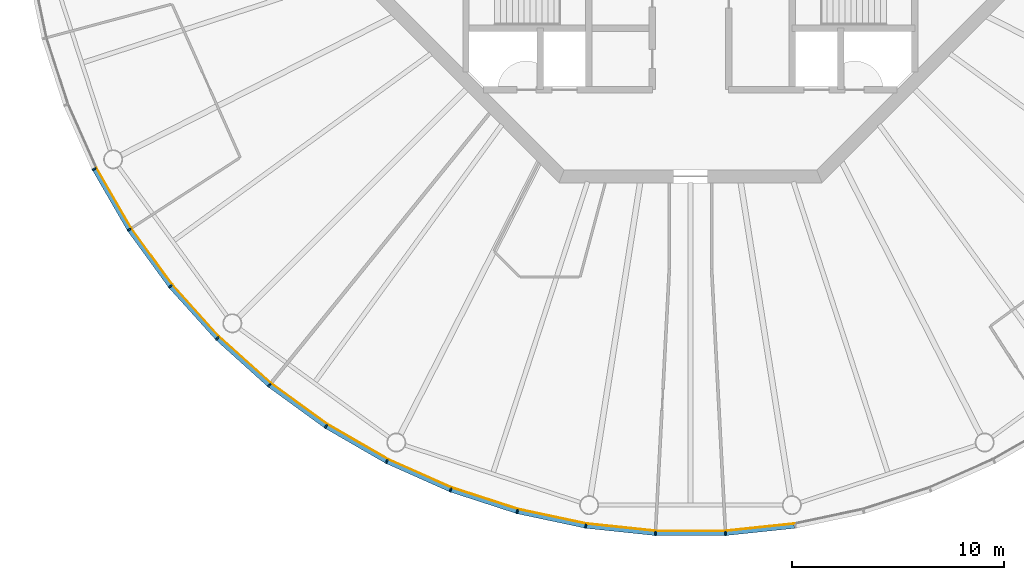
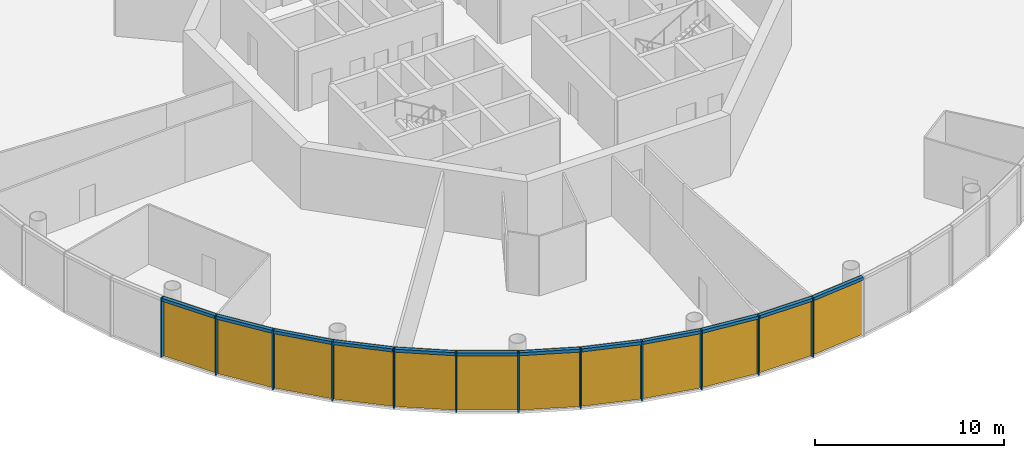
# One storey, part 7 of 13: 24 members, 4 curtain walls.
"""IFC4 building model written with IfcOpenShell, lengths in metres."""

from ifc_helpers import new_model, si_unit, direction, frame, origin, origin_2d, place, context, subcontext, project, spatial, polyline, rectangle, outline, extrude, material, layer, layer_set, material_profile, profile_set, type_object, element, aggregate, save


model = new_model("IFC4")

# Units and contexts
model_context = context("Model", 3, precision=1e-05, world=origin(), true_north=direction((0.0, 1.0)))
body_context = subcontext(model_context, "Body", "Model", "MODEL_VIEW")
ifc_project = project(units=[si_unit("LENGTHUNIT", "METRE"), si_unit("AREAUNIT", "SQUARE_METRE"), si_unit("VOLUMEUNIT", "CUBIC_METRE"), si_unit("PLANEANGLEUNIT", "RADIAN"), si_unit("MASSUNIT", "GRAM", prefix="KILO")], contexts=[model_context])

# Member
ifc_material_1 = material(Name="Anodised aluminium", Category="aluminium")
ifc_material_profile_1 = material_profile(ifc_material_1, rectangle(XDim=0.070068359375, YDim=0.205078125, at=origin_2d()), Name="Mullion 70 x 205 mm anodised aluminium")
ifc_profile_set_1 = profile_set([ifc_material_profile_1], Name="Anodised aluminium")
member_type_1 = type_object("IfcMemberType", Name="Mullion 70 x 205 mm anodised aluminium", PredefinedType="MULLION", material=ifc_profile_set_1)
site_placement = place(None, origin())
building_placement = place(site_placement, origin())
storey_placement = place(building_placement, frame((0.0, 0.0, 376.0)))
member_1_placement = place(storey_placement, frame((61.842041015625, 65.65283203125, 0.0), z_axis=(0.0, 0.0, 1.0), x_axis=(0.45399049974, -0.891006524188, 0.0)))
member_1 = element("IfcMember", 1, at=member_1_placement, type_object=member_type_1, Name="MULLION L87-33", PredefinedType="MULLION", context=body_context, shape_type="SweptSolid", body=[
    extrude(rectangle(XDim=0.070068359375, YDim=0.205078125, at=origin_2d()), origin(), (0.0, 0.0, 1.0), 3.85009765625),
])

member_2_placement = place(storey_placement, frame((63.495849609375, 62.7880859375, 0.0), z_axis=(0.0, 0.0, 1.0), x_axis=(0.544639035015, -0.838670567945, 0.0)))
member_2 = element("IfcMember", 2, at=member_2_placement, type_object=member_type_1, Name="MULLION L87-34", PredefinedType="MULLION", context=body_context, shape_type="SweptSolid", body=[
    extrude(rectangle(XDim=0.070068359375, YDim=0.205078125, at=origin_2d()), origin(), (0.0, 0.0, 1.0), 3.85009765625),
])

member_3_placement = place(storey_placement, frame((65.440185546875, 60.11181640625, 0.0), z_axis=(0.0, 0.0, 1.0), x_axis=(0.62932039105, -0.777145961457, 0.0)))
member_3 = element("IfcMember", 3, at=member_3_placement, type_object=member_type_1, Name="MULLION L87-35", PredefinedType="MULLION", context=body_context, shape_type="SweptSolid", body=[
    extrude(rectangle(XDim=0.070068359375, YDim=0.205078125, at=origin_2d()), origin(), (0.0, 0.0, 1.0), 3.85009765625),
])

member_4_placement = place(storey_placement, frame((67.653564453125, 57.653564453125, 0.0), z_axis=(0.0, 0.0, 1.0), x_axis=(0.707106781187, -0.707106781187, 0.0)))
member_4 = element("IfcMember", 4, at=member_4_placement, type_object=member_type_1, Name="MULLION L87-36", PredefinedType="MULLION", context=body_context, shape_type="SweptSolid", body=[
    extrude(rectangle(XDim=0.070068359375, YDim=0.205078125, at=origin_2d()), origin(), (0.0, 0.0, 1.0), 3.85009765625),
])

member_5_placement = place(storey_placement, frame((70.11181640625, 55.440185546875, 0.0), z_axis=(0.0, 0.0, 1.0), x_axis=(0.777145961457, -0.62932039105, 0.0)))
member_5 = element("IfcMember", 5, at=member_5_placement, type_object=member_type_1, Name="MULLION L87-37", PredefinedType="MULLION", context=body_context, shape_type="SweptSolid", body=[
    extrude(rectangle(XDim=0.070068359375, YDim=0.205078125, at=origin_2d()), origin(), (0.0, 0.0, 1.0), 3.85009765625),
])

member_6_placement = place(storey_placement, frame((72.7880859375, 53.495849609375, 0.0), z_axis=(0.0, 0.0, 1.0), x_axis=(0.838670567945, -0.544639035015, 0.0)))
member_6 = element("IfcMember", 6, at=member_6_placement, type_object=member_type_1, Name="MULLION L87-38", PredefinedType="MULLION", context=body_context, shape_type="SweptSolid", body=[
    extrude(rectangle(XDim=0.070068359375, YDim=0.205078125, at=origin_2d()), origin(), (0.0, 0.0, 1.0), 3.85009765625),
])

member_7_placement = place(storey_placement, frame((75.65283203125, 51.842041015625, 0.0), z_axis=(0.0, 0.0, 1.0), x_axis=(0.891006524188, -0.45399049974, 0.0)))
member_7 = element("IfcMember", 7, at=member_7_placement, type_object=member_type_1, Name="MULLION L87-39", PredefinedType="MULLION", context=body_context, shape_type="SweptSolid", body=[
    extrude(rectangle(XDim=0.070068359375, YDim=0.205078125, at=origin_2d()), origin(), (0.0, 0.0, 1.0), 3.85009765625),
])

member_8_placement = place(storey_placement, frame((78.674560546875, 50.49658203125, 0.0), z_axis=(0.0, 0.0, 1.0), x_axis=(0.933580426497, -0.358367949545, 0.0)))
member_8 = element("IfcMember", 8, at=member_8_placement, type_object=member_type_1, Name="MULLION L87-40", PredefinedType="MULLION", context=body_context, shape_type="SweptSolid", body=[
    extrude(rectangle(XDim=0.070068359375, YDim=0.205078125, at=origin_2d()), origin(), (0.0, 0.0, 1.0), 3.85009765625),
])

member_9_placement = place(storey_placement, frame((81.820556640625, 49.474365234375, 0.0), z_axis=(0.0, 0.0, 1.0), x_axis=(0.965925826289, -0.258819045103, 0.0)))
member_9 = element("IfcMember", 9, at=member_9_placement, type_object=member_type_1, Name="MULLION L87-41", PredefinedType="MULLION", context=body_context, shape_type="SweptSolid", body=[
    extrude(rectangle(XDim=0.070068359375, YDim=0.205078125, at=origin_2d()), origin(), (0.0, 0.0, 1.0), 3.85009765625),
])

member_10_placement = place(storey_placement, frame((85.056396484375, 48.78662109375, 0.0), z_axis=(0.0, 0.0, 1.0), x_axis=(0.987688340595, -0.15643446504, 0.0)))
member_10 = element("IfcMember", 10, at=member_10_placement, type_object=member_type_1, Name="MULLION L87-42", PredefinedType="MULLION", context=body_context, shape_type="SweptSolid", body=[
    extrude(rectangle(XDim=0.070068359375, YDim=0.205078125, at=origin_2d()), origin(), (0.0, 0.0, 1.0), 3.85009765625),
])

member_11_placement = place(storey_placement, frame((88.345947265625, 48.44091796875, 0.0), z_axis=(0.0, 0.0, 1.0), x_axis=(0.998629534755, -0.052335956243, 0.0)))
member_11 = element("IfcMember", 11, at=member_11_placement, type_object=member_type_1, Name="MULLION L87-43", PredefinedType="MULLION", context=body_context, shape_type="SweptSolid", body=[
    extrude(rectangle(XDim=0.070068359375, YDim=0.205078125, at=origin_2d()), origin(), (0.0, 0.0, 1.0), 3.85009765625),
])

member_12_placement = place(storey_placement, frame((91.654052734375, 48.44091796875, 0.0), z_axis=(0.0, 0.0, 1.0), x_axis=(0.998629534755, 0.052335956243, 0.0)))
member_12 = element("IfcMember", 12, at=member_12_placement, type_object=member_type_1, Name="MULLION L87-44", PredefinedType="MULLION", context=body_context, shape_type="SweptSolid", body=[
    extrude(rectangle(XDim=0.070068359375, YDim=0.205078125, at=origin_2d()), origin(), (0.0, 0.0, 1.0), 3.85009765625),
])

ifc_material_2 = material(Name="Anodised aluminium", Category="aluminium")
ifc_material_profile_2 = material_profile(ifc_material_2, rectangle(XDim=0.205078125, YDim=0.195068359375, at=origin_2d()), Name="Transom 195 x 205 mm anodised aluminium")
ifc_profile_set_2 = profile_set([ifc_material_profile_2], Name="Anodised aluminium")
member_type_2 = type_object("IfcMemberType", Name="Transom 195 x 205 mm anodised aluminium", PredefinedType="USERDEFINED", material=ifc_profile_set_2)
member_13_placement = place(storey_placement, frame((61.862060546875, 65.61767578125, 3.75244140625), z_axis=(0.500004055213, -0.866023062494, 0.0), x_axis=(0.866023062494, 0.500004055213, 0.0)))
member_13 = element("IfcMember", 13, at=member_13_placement, type_object=member_type_2, Name="TRANSOM L87-33", ObjectType="TRANSOM", PredefinedType="USERDEFINED", context=body_context, shape_type="SweptSolid", body=[
    extrude(rectangle(XDim=0.205078125, YDim=0.195068359375, at=origin_2d()), origin(), (0.0, 0.0, 1.0), 3.22705078125),
])

member_14_placement = place(storey_placement, frame((63.51953125, 62.75537109375, 3.75244140625), z_axis=(0.587802790201, -0.809004252048, 0.0), x_axis=(0.809004252048, 0.587802790201, 0.0)))
member_14 = element("IfcMember", 14, at=member_14_placement, type_object=member_type_2, Name="TRANSOM L87-34", ObjectType="TRANSOM", PredefinedType="USERDEFINED", context=body_context, shape_type="SweptSolid", body=[
    extrude(rectangle(XDim=0.205078125, YDim=0.195068359375, at=origin_2d()), origin(), (0.0, 0.0, 1.0), 3.227294921875),
])

member_15_placement = place(storey_placement, frame((65.467041015625, 60.081787109375, 3.75244140625), z_axis=(0.669144438484, -0.743132370743, 0.0), x_axis=(0.743132370743, 0.669144438484, 0.0)))
member_15 = element("IfcMember", 15, at=member_15_placement, type_object=member_type_2, Name="TRANSOM L87-35", ObjectType="TRANSOM", PredefinedType="USERDEFINED", context=body_context, shape_type="SweptSolid", body=[
    extrude(rectangle(XDim=0.205078125, YDim=0.195068359375, at=origin_2d()), origin(), (0.0, 0.0, 1.0), 3.22705078125),
])

member_16_placement = place(storey_placement, frame((67.68359375, 57.62646484375, 3.75244140625), z_axis=(0.743132370743, -0.669144438484, 0.0), x_axis=(0.669144438484, 0.743132370743, 0.0)))
member_16 = element("IfcMember", 16, at=member_16_placement, type_object=member_type_2, Name="TRANSOM L87-36", ObjectType="TRANSOM", PredefinedType="USERDEFINED", context=body_context, shape_type="SweptSolid", body=[
    extrude(rectangle(XDim=0.205078125, YDim=0.195068359375, at=origin_2d()), origin(), (0.0, 0.0, 1.0), 3.22705078125),
])

member_17_placement = place(storey_placement, frame((70.14453125, 55.41650390625, 3.75244140625), z_axis=(0.809004252048, -0.587802790201, 0.0), x_axis=(0.587802790201, 0.809004252048, 0.0)))
member_17 = element("IfcMember", 17, at=member_17_placement, type_object=member_type_2, Name="TRANSOM L87-37", ObjectType="TRANSOM", PredefinedType="USERDEFINED", context=body_context, shape_type="SweptSolid", body=[
    extrude(rectangle(XDim=0.205078125, YDim=0.195068359375, at=origin_2d()), origin(), (0.0, 0.0, 1.0), 3.227294921875),
])

member_18_placement = place(storey_placement, frame((72.822998046875, 53.4755859375, 3.75244140625), z_axis=(0.866023062494, -0.500004055213, 0.0), x_axis=(0.500004055213, 0.866023062494, 0.0)))
member_18 = element("IfcMember", 18, at=member_18_placement, type_object=member_type_2, Name="TRANSOM L87-38", ObjectType="TRANSOM", PredefinedType="USERDEFINED", context=body_context, shape_type="SweptSolid", body=[
    extrude(rectangle(XDim=0.205078125, YDim=0.195068359375, at=origin_2d()), origin(), (0.0, 0.0, 1.0), 3.22705078125),
])

member_19_placement = place(storey_placement, frame((75.689697265625, 51.825439453125, 3.75244140625), z_axis=(0.913521178731, -0.406791170024, 0.0), x_axis=(0.406791170024, 0.913521178731, 0.0)))
member_19 = element("IfcMember", 19, at=member_19_placement, type_object=member_type_2, Name="TRANSOM L87-39", ObjectType="TRANSOM", PredefinedType="USERDEFINED", context=body_context, shape_type="SweptSolid", body=[
    extrude(rectangle(XDim=0.205078125, YDim=0.195068359375, at=origin_2d()), origin(), (0.0, 0.0, 1.0), 3.22705078125),
])

member_20_placement = place(storey_placement, frame((78.713134765625, 50.48388671875, 3.75244140625), z_axis=(0.951046855117, -0.309046726844, 0.0), x_axis=(0.309046726844, 0.951046855117, 0.0)))
member_20 = element("IfcMember", 20, at=member_20_placement, type_object=member_type_2, Name="TRANSOM L87-40", ObjectType="TRANSOM", PredefinedType="USERDEFINED", context=body_context, shape_type="SweptSolid", body=[
    extrude(rectangle(XDim=0.205078125, YDim=0.195068359375, at=origin_2d()), origin(), (0.0, 0.0, 1.0), 3.22705078125),
])

member_21_placement = place(storey_placement, frame((81.860107421875, 49.4658203125, 3.75244140625), z_axis=(0.978153082647, -0.207885898771, 0.0), x_axis=(0.207885898771, 0.978153082647, 0.0)))
member_21 = element("IfcMember", 21, at=member_21_placement, type_object=member_type_2, Name="TRANSOM L87-41", ObjectType="TRANSOM", PredefinedType="USERDEFINED", context=body_context, shape_type="SweptSolid", body=[
    extrude(rectangle(XDim=0.205078125, YDim=0.195068359375, at=origin_2d()), origin(), (0.0, 0.0, 1.0), 3.227294921875),
])

member_22_placement = place(storey_placement, frame((85.096435546875, 48.7822265625, 3.75244140625), z_axis=(0.994519537956, -0.104550890115, 0.0), x_axis=(0.104550890115, 0.994519537956, 0.0)))
member_22 = element("IfcMember", 22, at=member_22_placement, type_object=member_type_2, Name="TRANSOM L87-42", ObjectType="TRANSOM", PredefinedType="USERDEFINED", context=body_context, shape_type="SweptSolid", body=[
    extrude(rectangle(XDim=0.205078125, YDim=0.195068359375, at=origin_2d()), origin(), (0.0, 0.0, 1.0), 3.22705078125),
])

member_23_placement = place(storey_placement, frame((88.386474609375, 48.440673828125, 3.75244140625), z_axis=(1.0, 0.0, 0.0), x_axis=(0.0, 1.0, 0.0)))
member_23 = element("IfcMember", 23, at=member_23_placement, type_object=member_type_2, Name="TRANSOM L87-43", ObjectType="TRANSOM", PredefinedType="USERDEFINED", context=body_context, shape_type="SweptSolid", body=[
    extrude(rectangle(XDim=0.205078125, YDim=0.195068359375, at=origin_2d()), origin(), (0.0, 0.0, 1.0), 3.22705078125),
])

member_24_placement = place(storey_placement, frame((91.694091796875, 48.44482421875, 3.75244140625), z_axis=(0.994519537956, 0.104550890115, 0.0), x_axis=(-0.104550890115, 0.994519537956, 0.0)))
member_24 = element("IfcMember", 24, at=member_24_placement, type_object=member_type_2, Name="TRANSOM L87-44", ObjectType="TRANSOM", PredefinedType="USERDEFINED", context=body_context, shape_type="SweptSolid", body=[
    extrude(rectangle(XDim=0.205078125, YDim=0.195068359375, at=origin_2d()), origin(), (0.0, 0.0, 1.0), 3.22705078125),
])

# Site, building, storey
site = spatial("IfcSite", under=ifc_project, at=site_placement, CompositionType="ELEMENT")
building = spatial("IfcBuilding", under=site, at=building_placement, Name="Entoto Ring Tower", CompositionType="ELEMENT")
storey = spatial("IfcBuildingStorey", under=building, at=storey_placement, Name="L87", CompositionType="ELEMENT", Elevation=376.0)

# Curtain wall
ifc_material_3 = material(Name="Clear low-iron glass", Category="glass")
ifc_layer = layer(ifc_material_3, 0.035888671875)
ifc_layer_set = layer_set([ifc_layer], Name="Clear low-iron glass")
curtain_wall_type = type_object("IfcCurtainWallType", Name="Curtain wall system CW6 glazing 36 mm", PredefinedType="NOTDEFINED", material=ifc_layer_set)
curtain_wall_1_placement = place(storey_placement, origin())
curtain_wall_1 = element("IfcCurtainWall", 25, at=curtain_wall_1_placement, inside=storey, type_object=curtain_wall_type, Name="CW6 L87-12", PredefinedType="NOTDEFINED", context=body_context, shape_type="SweptSolid", body=[
    extrude(outline(polyline([(61.933349609375, 65.69921875), (63.581787109375, 62.84375), (65.52001953125, 60.176513671875), (67.72607421875, 57.72607421875), (67.751708984375, 57.751708984375), (65.5478515625, 60.198974609375), (63.612060546875, 62.863525390625), (61.96533203125, 65.715576171875), (61.933349609375, 65.69921875)])), origin(), (0.0, 0.0, 1.0), 3.85009765625),
])

aggregate(curtain_wall_1, [member_1, member_2, member_3, member_13, member_14, member_15])

curtain_wall_2_placement = place(storey_placement, origin())
curtain_wall_2 = element("IfcCurtainWall", 26, at=curtain_wall_2_placement, inside=storey, type_object=curtain_wall_type, Name="CW6 L87-13", PredefinedType="NOTDEFINED", context=body_context, shape_type="SweptSolid", body=[
    extrude(outline(polyline([(67.72607421875, 57.72607421875), (70.176513671875, 55.52001953125), (72.84375, 53.581787109375), (75.69921875, 51.933349609375), (75.715576171875, 51.96533203125), (72.863525390625, 53.612060546875), (70.198974609375, 55.5478515625), (67.751708984375, 57.751708984375), (67.72607421875, 57.72607421875)])), origin(), (0.0, 0.0, 1.0), 3.85009765625),
])

aggregate(curtain_wall_2, [member_4, member_5, member_6, member_16, member_17, member_18])

curtain_wall_3_placement = place(storey_placement, origin())
curtain_wall_3 = element("IfcCurtainWall", 27, at=curtain_wall_3_placement, inside=storey, type_object=curtain_wall_type, Name="CW6 L87-14", PredefinedType="NOTDEFINED", context=body_context, shape_type="SweptSolid", body=[
    extrude(outline(polyline([(75.69921875, 51.933349609375), (78.71142578125, 50.59228515625), (81.84716796875, 49.5732421875), (85.072265625, 48.8876953125), (85.077880859375, 48.92333984375), (81.8564453125, 49.608154296875), (78.724365234375, 50.6259765625), (75.715576171875, 51.96533203125), (75.69921875, 51.933349609375)])), origin(), (0.0, 0.0, 1.0), 3.85009765625),
])

aggregate(curtain_wall_3, [member_7, member_8, member_9, member_19, member_20, member_21])

curtain_wall_4_placement = place(storey_placement, origin())
curtain_wall_4 = element("IfcCurtainWall", 28, at=curtain_wall_4_placement, inside=storey, type_object=curtain_wall_type, Name="CW6 L87-15", PredefinedType="NOTDEFINED", context=body_context, shape_type="SweptSolid", body=[
    extrude(outline(polyline([(85.072265625, 48.8876953125), (88.351318359375, 48.543212890625), (91.648681640625, 48.543212890625), (94.927734375, 48.8876953125), (94.922119140625, 48.92333984375), (91.646728515625, 48.5791015625), (88.353271484375, 48.5791015625), (85.077880859375, 48.92333984375), (85.072265625, 48.8876953125)])), origin(), (0.0, 0.0, 1.0), 3.85009765625),
])

aggregate(curtain_wall_4, [member_10, member_11, member_12, member_22, member_23, member_24])

save(model, "model.ifc")
